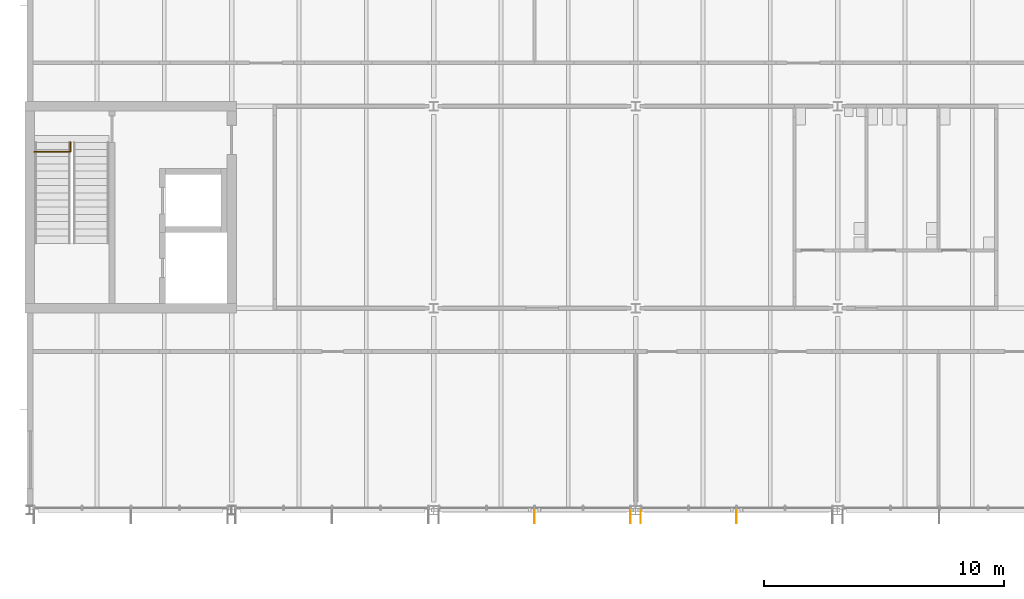
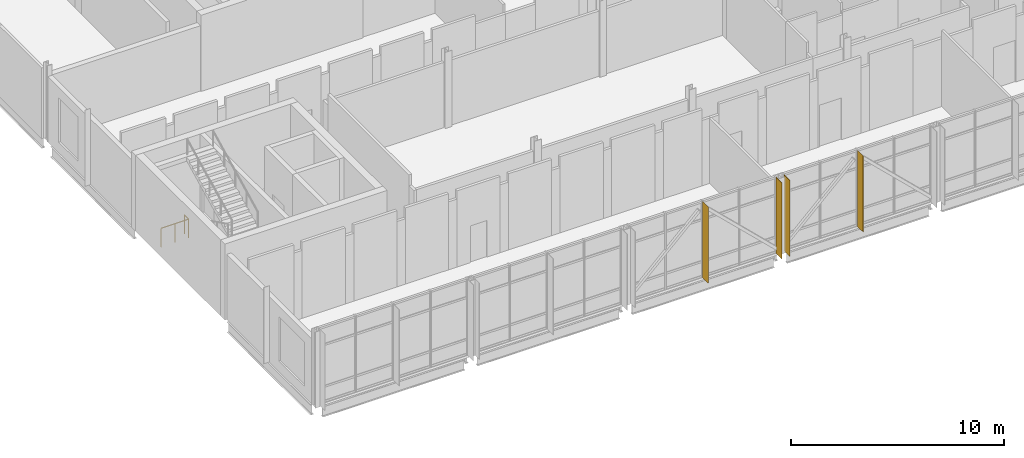
# One storey, part 75 of 89: 4 shading devices, 1 railing.
"""IFC4 building model written with IfcOpenShell, lengths in metres."""

from ifc_helpers import new_model, si_unit, direction, frame, origin, origin_2d, place, context, subcontext, project, spatial, rectangle, circle, extrude, material, layer, layer_set, type_object, element, save


model = new_model("IFC4")

# Units and contexts
model_context = context("Model", 3, precision=1e-05, world=origin(), true_north=direction((0.0, 1.0)))
body_context = subcontext(model_context, "Body", "Model", "MODEL_VIEW")
ifc_project = project(units=[si_unit("LENGTHUNIT", "METRE"), si_unit("AREAUNIT", "SQUARE_METRE"), si_unit("VOLUMEUNIT", "CUBIC_METRE"), si_unit("PLANEANGLEUNIT", "RADIAN"), si_unit("MASSUNIT", "GRAM", prefix="KILO")], contexts=[model_context])

# Site, building, storey
site_placement = place(None, origin())
site = spatial("IfcSite", under=ifc_project, at=site_placement, CompositionType="ELEMENT")
building_placement = place(site_placement, origin())
building = spatial("IfcBuilding", under=site, at=building_placement, Name="Hlaing Beacon Police Headquarters", CompositionType="ELEMENT")
storey_placement = place(building_placement, frame((0.0, 0.0, 9.89990234375)))
storey = spatial("IfcBuildingStorey", under=building, at=storey_placement, Name="L02", CompositionType="ELEMENT", Elevation=9.89990234375)

# Shading devices
ifc_material_1 = material(Name="Aluminium 6063-T5 anodised", Category="aluminium")
ifc_layer = layer(ifc_material_1, 0.011962890625)
ifc_layer_set = layer_set([ifc_layer], Name="Aluminium 6063-T5 anodised")
shading_device_type = type_object("IfcShadingDeviceType", Name="Aluminium fin 12x550", PredefinedType="JALOUSIE", material=ifc_layer_set)
for number, where, z_axis, x_axis, name in (
    (1, (29.39990234375, 8.125, 0.0), (0.0, 0.0, 1.0), (1.0, 0.0, 0.0), "Fin L02 S011.2"),
    (2, (33.384521484375, 8.125, 0.0), (0.0, 0.0, 1.0), (1.0, 0.0, 0.0), "Fin L02 S011.4"),
    (3, (33.8154296875, 8.125, 0.0), (0.0, 0.0, 1.0), (1.0, 0.0, 0.0), "Fin L02 S012.0"),
    (4, (37.800048828125, 8.125, 0.0), (0.0, 0.0, 1.0), (1.0, 0.0, 0.0), "Fin L02 S012.2"),
):
    element("IfcShadingDevice", number, at=place(storey_placement, frame(where, z_axis=z_axis, x_axis=x_axis)), inside=storey, type_object=shading_device_type, Name=name, PredefinedType="JALOUSIE", context=body_context, shape_type="SweptSolid", body=[
        extrude(rectangle(XDim=0.011962890625, YDim=0.550048828125, at=origin_2d()), origin(), (0.0, 0.0, 1.0), 4.3701171875),
    ])

# Railing
ifc_material_2 = material(Name="Stainless steel", Category="steel")
railing_type = type_object("IfcRailingType", Name="Stair guard 1100", PredefinedType="GUARDRAIL", material=ifc_material_2)
railing_placement = place(storey_placement, frame((8.60009765625, 23.300048828125, 0.0)))
element("IfcRailing", 5, at=railing_placement, inside=storey, type_object=railing_type, Name="Guard ST-J", PredefinedType="GUARDRAIL", context=body_context, shape_type="SweptSolid", body=[
    extrude(circle(Radius=0.02392578125, at=origin_2d()), frame((0.0, 0.0, 1.076171875), z_axis=(1.0, 0.0, 0.0), x_axis=(0.0, 1.0, 0.0)), (0.0, 0.0, 1.0), 1.5),
    extrude(circle(Radius=0.02392578125, at=origin_2d()), frame((1.5, 0.0, 1.076171875), z_axis=(0.0, 1.0, 0.0), x_axis=(-1.0, 0.0, 0.0)), (0.0, 0.0, 1.0), 0.39990234375),
    extrude(circle(Radius=0.02099609375, at=origin_2d()), origin(), (0.0, 0.0, 1.0), 1.052001953125),
    extrude(circle(Radius=0.02099609375, at=origin_2d()), frame((0.75, 0.0, 0.0)), (0.0, 0.0, 1.0), 1.052001953125),
    extrude(circle(Radius=0.02099609375, at=origin_2d()), frame((1.5, 0.0, 0.0)), (0.0, 0.0, 1.0), 1.052001953125),
    extrude(circle(Radius=0.02099609375, at=origin_2d()), frame((1.5, 0.39990234375, 0.0)), (0.0, 0.0, 1.0), 1.052001953125),
])

save(model, "model.ifc")
